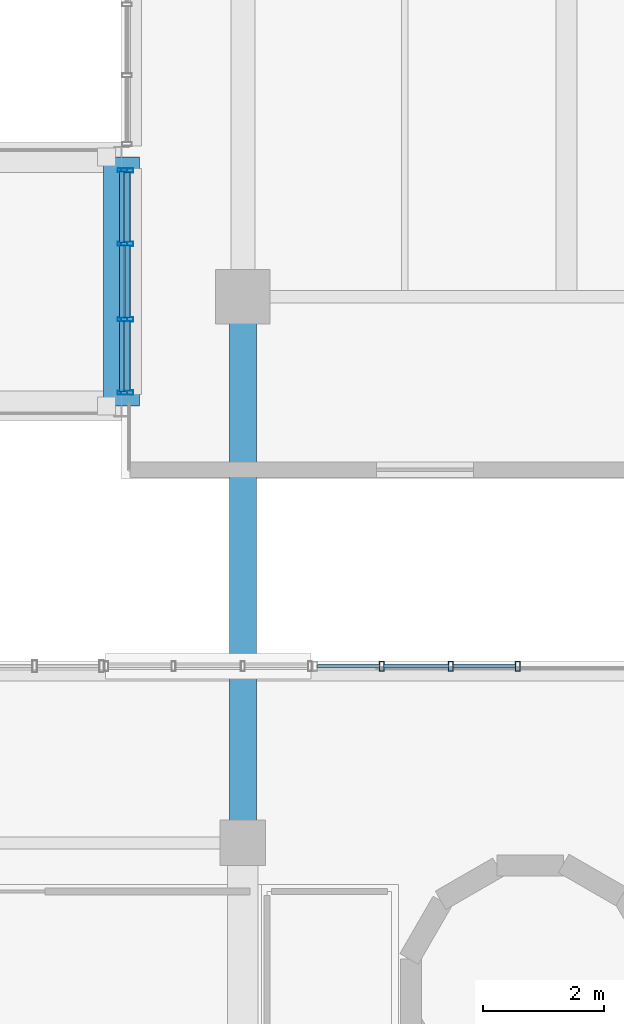
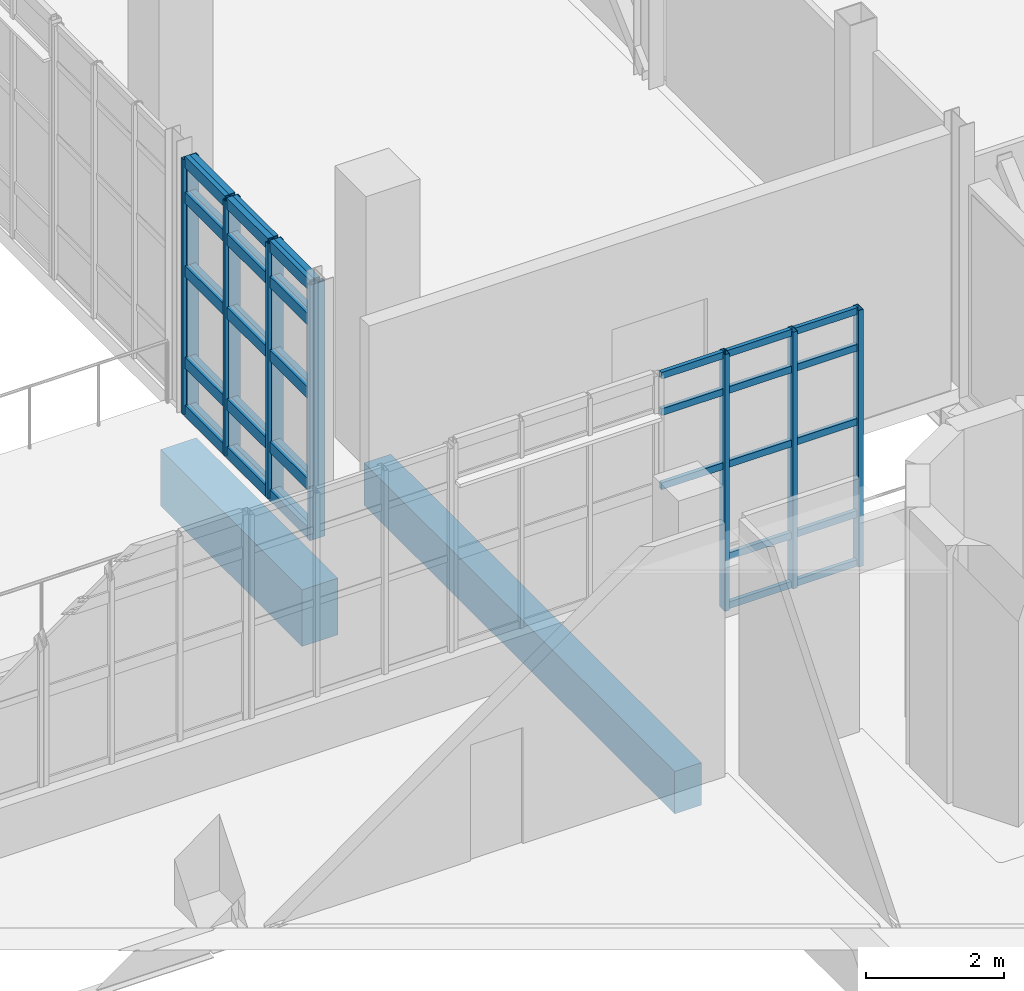
# One storey, part 26 of 100: 54 members, 2 beams, 3 elements without a shape of their own.
"""IFC4 building model written with IfcOpenShell, lengths in metres."""

from ifc_helpers import new_model, si_unit, derived_unit, direction, frame, origin, origin_2d, place, context, subcontext, project, spatial, rectangle, hollow_rectangle, extrude, material, layer, layer_set, material_profile, profile_set, type_object, element, aggregate, save


model = new_model("IFC4")

# Units and contexts
model_context = context("Model", 3, precision=1e-05, world=origin(), true_north=direction((0.0, 1.0)))
body_context = subcontext(model_context, "Body", "Model", "MODEL_VIEW")
ifc_project = project(units=[si_unit("LENGTHUNIT", "METRE"), si_unit("AREAUNIT", "SQUARE_METRE"), si_unit("VOLUMEUNIT", "CUBIC_METRE"), si_unit("PLANEANGLEUNIT", "RADIAN"), si_unit("MASSUNIT", "GRAM", prefix="KILO"), derived_unit("THERMALTRANSMITTANCEUNIT", [(si_unit("POWERUNIT", "WATT"), 1), (si_unit("LENGTHUNIT", "METRE"), -2), (si_unit("THERMODYNAMICTEMPERATUREUNIT", "KELVIN"), -1)])], contexts=[model_context])

# Site, building, storey
site_placement = place(None, origin())
site = spatial("IfcSite", under=ifc_project, at=site_placement, CompositionType="ELEMENT")
building_placement = place(site_placement, origin())
building = spatial("IfcBuilding", under=site, at=building_placement, Name="Nallur Shell Playhouse", CompositionType="ELEMENT")
storey_placement = place(building_placement, frame((0.0, 0.0, 10.199951171875)))
storey = spatial("IfcBuildingStorey", under=building, at=storey_placement, Name="L03", CompositionType="ELEMENT", Elevation=10.199951171875)

# Beams
ifc_material_1 = material(Name="Concrete M35", Category="concrete")
ifc_material_profile_1 = material_profile(ifc_material_1, rectangle(XDim=0.449951171875, YDim=0.75, at=origin_2d()), Name="RC 450x750")
ifc_profile_set_1 = profile_set([ifc_material_profile_1], Name="Concrete M35")
beam_type_1 = type_object("IfcBeamType", Name="BM-RC-450x750", PredefinedType="BEAM", material=ifc_profile_set_1)
beam_1_placement = place(storey_placement, frame((56.0, 41.0, -0.635009765625), z_axis=(0.0, 1.0, 0.0), x_axis=(-1.0, 0.0, 0.0)))
element("IfcBeam", 1, at=beam_1_placement, inside=storey, type_object=beam_type_1, Name="L03 girder Y-7-654", PredefinedType="BEAM", context=body_context, shape_type="SweptSolid", body=[
    extrude(rectangle(XDim=0.449951171875, YDim=0.75, at=origin_2d()), origin(), (0.0, 0.0, 1.0), 9.0),
])
ifc_material_2 = material(Name="Concrete M40", Category="concrete")
ifc_material_profile_2 = material_profile(ifc_material_2, rectangle(XDim=0.60009765625, YDim=1.0, at=origin_2d()), Name="RC 600x1000")
ifc_profile_set_2 = profile_set([ifc_material_profile_2], Name="Concrete M40")
beam_type_2 = type_object("IfcBeamType", Name="BM-RC-600x1000", PredefinedType="BEAM", material=ifc_profile_set_2)
beam_2_placement = place(storey_placement, frame((54.0, 48.199951171875, -1.18994140625), z_axis=(0.0, 1.0, 0.0), x_axis=(-1.0, 0.0, 0.0)))
element("IfcBeam", 2, at=beam_2_placement, inside=storey, type_object=beam_type_2, Name="Courtyard bridge 600mm seismic bearing seat corbel 05", PredefinedType="BEAM", context=body_context, shape_type="SweptSolid", body=[
    extrude(rectangle(XDim=0.60009765625, YDim=1.0, at=origin_2d()), origin(), (0.0, 0.0, 1.0), 4.10009765625),
])

# Curtain wall, members
ifc_material_3 = material(Name="Anodised Aluminium Double-Glazed Facade System", Category="aluminium")
ifc_layer_1 = layer(ifc_material_3, 0.1640625)
ifc_layer_set_1 = layer_set([ifc_layer_1], Name="Anodised Aluminium Double-Glazed Facade System")
curtain_wall_type_1 = type_object("IfcCurtainWallType", Name="CW-UNIT-01", PredefinedType="NOTDEFINED", material=ifc_layer_set_1)
curtain_wall_1_placement = place(storey_placement, origin())
curtain_wall_1 = element("IfcCurtainWall", 3, at=curtain_wall_1_placement, inside=storey, type_object=curtain_wall_type_1, Name="Unitised curtain wall CW-065 (L03)", PredefinedType="NOTDEFINED")
ifc_material_4 = material(Name="Aluminium Alloy 6063-T6 Mullion", Category="aluminium")
ifc_material_profile_3 = material_profile(ifc_material_4, hollow_rectangle(XDim=0.080078125, YDim=0.159912109375, WallThickness=0.006103515625, at=origin_2d()), Name="RHS 160x80x6")
ifc_profile_set_3 = profile_set([ifc_material_profile_3], Name="Aluminium Alloy 6063-T6 Mullion")
member_type_1 = type_object("IfcMemberType", Name="MB-CW-MUL150", PredefinedType="MULLION", material=ifc_profile_set_3)
member_1_placement = place(storey_placement, frame((58.287353515625, 43.909912109375, -0.014892578125), z_axis=(0.0, 0.0, 1.0), x_axis=(1.0, 0.0, 0.0)))
member_1 = element("IfcMember", 4, at=member_1_placement, type_object=member_type_1, Name="CW-01 mullion 2", PredefinedType="MULLION", context=body_context, shape_type="SweptSolid", body=[
    extrude(hollow_rectangle(XDim=0.080078125, YDim=0.159912109375, WallThickness=0.006103515625, at=origin_2d()), origin(), (0.0, 0.0, 1.0), 4.5390625),
])
member_2_placement = place(storey_placement, frame((59.427001953125, 43.909912109375, -0.014892578125), z_axis=(0.0, 0.0, 1.0), x_axis=(1.0, 0.0, 0.0)))
member_2 = element("IfcMember", 5, at=member_2_placement, type_object=member_type_1, Name="CW-01 mullion 3", PredefinedType="MULLION", context=body_context, shape_type="SweptSolid", body=[
    extrude(hollow_rectangle(XDim=0.080078125, YDim=0.159912109375, WallThickness=0.006103515625, at=origin_2d()), origin(), (0.0, 0.0, 1.0), 4.5390625),
])
member_3_placement = place(storey_placement, frame((60.5263671875, 43.909912109375, -0.014892578125), z_axis=(0.0, 0.0, 1.0), x_axis=(1.0, 0.0, 0.0)))
member_3 = element("IfcMember", 6, at=member_3_placement, type_object=member_type_1, Name="CW-01 mullion 4", PredefinedType="MULLION", context=body_context, shape_type="SweptSolid", body=[
    extrude(hollow_rectangle(XDim=0.080078125, YDim=0.159912109375, WallThickness=0.006103515625, at=origin_2d()), origin(), (0.0, 0.0, 1.0), 4.5390625),
])

ifc_layer_2 = layer(ifc_material_3, 0.16796875)
ifc_layer_set_2 = layer_set([ifc_layer_2], Name="Anodised Aluminium Double-Glazed Facade System")
curtain_wall_type_2 = type_object("IfcCurtainWallType", Name="CW-UNIT-26", PredefinedType="NOTDEFINED", material=ifc_layer_set_2)
curtain_wall_2_placement = place(storey_placement, origin())
curtain_wall_2 = element("IfcCurtainWall", 7, at=curtain_wall_2_placement, inside=storey, type_object=curtain_wall_type_2, Name="Unitised curtain wall CW-058 (L03)", PredefinedType="NOTDEFINED")
ifc_material_profile_4 = material_profile(ifc_material_4, hollow_rectangle(XDim=0.06494140625, YDim=0.159912109375, WallThickness=0.00390625, at=origin_2d()), Name="ALU 65x160x4")
ifc_profile_set_4 = profile_set([ifc_material_profile_4], Name="Aluminium Alloy 6063-T6 Mullion")
member_type_2 = type_object("IfcMemberType", Name="MB-CW-MUL160", PredefinedType="MULLION", material=ifc_profile_set_4)
member_4_placement = place(storey_placement, frame((54.014892578125, 52.08447265625, -0.014892578125), z_axis=(0.0, 0.0, 1.0), x_axis=(0.0, -1.0, 0.0)))
member_4 = element("IfcMember", 8, at=member_4_placement, type_object=member_type_2, Name="CW-26 mullion 1", PredefinedType="MULLION", context=body_context, shape_type="SweptSolid", body=[
    extrude(hollow_rectangle(XDim=0.06494140625, YDim=0.159912109375, WallThickness=0.00390625, at=origin_2d()), origin(), (0.0, 0.0, 1.0), 4.51904296875),
])
member_5_placement = place(storey_placement, frame((54.014892578125, 50.872314453125, -0.014892578125), z_axis=(0.0, 0.0, 1.0), x_axis=(0.0, -1.0, 0.0)))
member_5 = element("IfcMember", 9, at=member_5_placement, type_object=member_type_2, Name="CW-26 mullion 2", PredefinedType="MULLION", context=body_context, shape_type="SweptSolid", body=[
    extrude(hollow_rectangle(XDim=0.06494140625, YDim=0.159912109375, WallThickness=0.00390625, at=origin_2d()), origin(), (0.0, 0.0, 1.0), 4.51904296875),
])
member_6_placement = place(storey_placement, frame((54.014892578125, 49.627685546875, -0.014892578125), z_axis=(0.0, 0.0, 1.0), x_axis=(0.0, -1.0, 0.0)))
member_6 = element("IfcMember", 10, at=member_6_placement, type_object=member_type_2, Name="CW-26 mullion 3", PredefinedType="MULLION", context=body_context, shape_type="SweptSolid", body=[
    extrude(hollow_rectangle(XDim=0.06494140625, YDim=0.159912109375, WallThickness=0.00390625, at=origin_2d()), origin(), (0.0, 0.0, 1.0), 4.51904296875),
])
member_7_placement = place(storey_placement, frame((54.014892578125, 48.41552734375, -0.014892578125), z_axis=(0.0, 0.0, 1.0), x_axis=(0.0, -1.0, 0.0)))
member_7 = element("IfcMember", 11, at=member_7_placement, type_object=member_type_2, Name="CW-26 mullion 4", PredefinedType="MULLION", context=body_context, shape_type="SweptSolid", body=[
    extrude(hollow_rectangle(XDim=0.06494140625, YDim=0.159912109375, WallThickness=0.00390625, at=origin_2d()), origin(), (0.0, 0.0, 1.0), 4.51904296875),
])

ifc_layer_3 = layer(ifc_material_3, 0.16796875)
ifc_layer_set_3 = layer_set([ifc_layer_3], Name="Anodised Aluminium Double-Glazed Facade System")
curtain_wall_type_3 = type_object("IfcCurtainWallType", Name="CW-UNIT-02", PredefinedType="NOTDEFINED", material=ifc_layer_set_3)
curtain_wall_3_placement = place(storey_placement, origin())
curtain_wall_3 = element("IfcCurtainWall", 12, at=curtain_wall_3_placement, inside=storey, type_object=curtain_wall_type_3, Name="Unitised curtain wall CW-066 (L03)", PredefinedType="NOTDEFINED")
ifc_material_profile_5 = material_profile(ifc_material_4, hollow_rectangle(XDim=0.074951171875, YDim=0.199951171875, WallThickness=0.0048828125, at=origin_2d()), Name="ALU 75x200x5")
ifc_profile_set_5 = profile_set([ifc_material_profile_5], Name="Aluminium Alloy 6063-T6 Mullion")
member_type_3 = type_object("IfcMemberType", Name="MB-CW-MUL180", PredefinedType="MULLION", material=ifc_profile_set_5)
member_8_placement = place(storey_placement, frame((54.090087890625, 48.42041015625, -0.014892578125), z_axis=(0.0, 0.0, 1.0), x_axis=(0.0, 1.0, 0.0)))
member_8 = element("IfcMember", 13, at=member_8_placement, type_object=member_type_3, Name="CW-02 mullion 1", PredefinedType="MULLION", context=body_context, shape_type="SweptSolid", body=[
    extrude(hollow_rectangle(XDim=0.074951171875, YDim=0.199951171875, WallThickness=0.0048828125, at=origin_2d()), origin(), (0.0, 0.0, 1.0), 4.51904296875),
])
member_9_placement = place(storey_placement, frame((54.090087890625, 49.627685546875, -0.014892578125), z_axis=(0.0, 0.0, 1.0), x_axis=(0.0, 1.0, 0.0)))
member_9 = element("IfcMember", 14, at=member_9_placement, type_object=member_type_3, Name="CW-02 mullion 2", PredefinedType="MULLION", context=body_context, shape_type="SweptSolid", body=[
    extrude(hollow_rectangle(XDim=0.074951171875, YDim=0.199951171875, WallThickness=0.0048828125, at=origin_2d()), origin(), (0.0, 0.0, 1.0), 4.51904296875),
])
member_10_placement = place(storey_placement, frame((54.090087890625, 50.872314453125, -0.014892578125), z_axis=(0.0, 0.0, 1.0), x_axis=(0.0, 1.0, 0.0)))
member_10 = element("IfcMember", 15, at=member_10_placement, type_object=member_type_3, Name="CW-02 mullion 3", PredefinedType="MULLION", context=body_context, shape_type="SweptSolid", body=[
    extrude(hollow_rectangle(XDim=0.074951171875, YDim=0.199951171875, WallThickness=0.0048828125, at=origin_2d()), origin(), (0.0, 0.0, 1.0), 4.51904296875),
])
member_11_placement = place(storey_placement, frame((54.090087890625, 52.07958984375, -0.014892578125), z_axis=(0.0, 0.0, 1.0), x_axis=(0.0, 1.0, 0.0)))
member_11 = element("IfcMember", 16, at=member_11_placement, type_object=member_type_3, Name="CW-02 mullion 4", PredefinedType="MULLION", context=body_context, shape_type="SweptSolid", body=[
    extrude(hollow_rectangle(XDim=0.074951171875, YDim=0.199951171875, WallThickness=0.0048828125, at=origin_2d()), origin(), (0.0, 0.0, 1.0), 4.51904296875),
])

# Member
ifc_material_5 = material(Name="Aluminium Alloy 6063-T6 Transom", Category="aluminium")
ifc_material_profile_6 = material_profile(ifc_material_5, hollow_rectangle(XDim=0.06494140625, YDim=0.1201171875, WallThickness=0.00390625, at=origin_2d()), Name="ALU 65x120x4")
ifc_profile_set_6 = profile_set([ifc_material_profile_6], Name="Aluminium Alloy 6063-T6 Transom")
member_type_4 = type_object("IfcMemberType", Name="MB-CW-TRN120", PredefinedType="USERDEFINED", material=ifc_profile_set_6)
member_12_placement = place(storey_placement, frame((57.219970703125, 43.909912109375, 2.531005859375), z_axis=(1.0, 0.0, 0.0), x_axis=(0.0, 1.0, 0.0)))
member_12 = element("IfcMember", 17, at=member_12_placement, type_object=member_type_4, Name="CW-01 transom 1.3", ObjectType="TRANSOM", PredefinedType="USERDEFINED", context=body_context, shape_type="SweptSolid", body=[
    extrude(hollow_rectangle(XDim=0.06494140625, YDim=0.1201171875, WallThickness=0.00390625, at=origin_2d()), origin(), (0.0, 0.0, 1.0), 1.035400390625),
])

member_13_placement = place(storey_placement, frame((57.219970703125, 43.909912109375, 3.840087890625), z_axis=(1.0, 0.0, 0.0), x_axis=(0.0, 1.0, 0.0)))
member_13 = element("IfcMember", 18, at=member_13_placement, type_object=member_type_4, Name="CW-01 transom 1.4", ObjectType="TRANSOM", PredefinedType="USERDEFINED", context=body_context, shape_type="SweptSolid", body=[
    extrude(hollow_rectangle(XDim=0.06494140625, YDim=0.1201171875, WallThickness=0.00390625, at=origin_2d()), origin(), (0.0, 0.0, 1.0), 1.035400390625),
])

member_14_placement = place(storey_placement, frame((57.219970703125, 43.909912109375, 4.487548828125), z_axis=(1.0, 0.0, 0.0), x_axis=(0.0, 1.0, 0.0)))
member_14 = element("IfcMember", 19, at=member_14_placement, type_object=member_type_4, Name="CW-01 transom 1.5", ObjectType="TRANSOM", PredefinedType="USERDEFINED", context=body_context, shape_type="SweptSolid", body=[
    extrude(hollow_rectangle(XDim=0.06494140625, YDim=0.1201171875, WallThickness=0.00390625, at=origin_2d()), origin(), (0.0, 0.0, 1.0), 1.035400390625),
])

member_15_placement = place(storey_placement, frame((58.3193359375, 43.909912109375, 0.032470703125), z_axis=(1.0, 0.0, 0.0), x_axis=(0.0, 1.0, 0.0)))
member_15 = element("IfcMember", 20, at=member_15_placement, type_object=member_type_4, Name="CW-01 transom 2.1", ObjectType="TRANSOM", PredefinedType="USERDEFINED", context=body_context, shape_type="SweptSolid", body=[
    extrude(hollow_rectangle(XDim=0.06494140625, YDim=0.1201171875, WallThickness=0.00390625, at=origin_2d()), origin(), (0.0, 0.0, 1.0), 1.07568359375),
])

member_16_placement = place(storey_placement, frame((58.3193359375, 43.909912109375, 0.900146484375), z_axis=(1.0, 0.0, 0.0), x_axis=(0.0, 1.0, 0.0)))
member_16 = element("IfcMember", 21, at=member_16_placement, type_object=member_type_4, Name="CW-01 transom 2.2", ObjectType="TRANSOM", PredefinedType="USERDEFINED", context=body_context, shape_type="SweptSolid", body=[
    extrude(hollow_rectangle(XDim=0.06494140625, YDim=0.1201171875, WallThickness=0.00390625, at=origin_2d()), origin(), (0.0, 0.0, 1.0), 1.07568359375),
])

member_17_placement = place(storey_placement, frame((58.3193359375, 43.909912109375, 2.531005859375), z_axis=(1.0, 0.0, 0.0), x_axis=(0.0, 1.0, 0.0)))
member_17 = element("IfcMember", 22, at=member_17_placement, type_object=member_type_4, Name="CW-01 transom 2.3", ObjectType="TRANSOM", PredefinedType="USERDEFINED", context=body_context, shape_type="SweptSolid", body=[
    extrude(hollow_rectangle(XDim=0.06494140625, YDim=0.1201171875, WallThickness=0.00390625, at=origin_2d()), origin(), (0.0, 0.0, 1.0), 1.07568359375),
])

member_18_placement = place(storey_placement, frame((58.3193359375, 43.909912109375, 3.840087890625), z_axis=(1.0, 0.0, 0.0), x_axis=(0.0, 1.0, 0.0)))
member_18 = element("IfcMember", 23, at=member_18_placement, type_object=member_type_4, Name="CW-01 transom 2.4", ObjectType="TRANSOM", PredefinedType="USERDEFINED", context=body_context, shape_type="SweptSolid", body=[
    extrude(hollow_rectangle(XDim=0.06494140625, YDim=0.1201171875, WallThickness=0.00390625, at=origin_2d()), origin(), (0.0, 0.0, 1.0), 1.07568359375),
])

member_19_placement = place(storey_placement, frame((58.3193359375, 43.909912109375, 4.487548828125), z_axis=(1.0, 0.0, 0.0), x_axis=(0.0, 1.0, 0.0)))
member_19 = element("IfcMember", 24, at=member_19_placement, type_object=member_type_4, Name="CW-01 transom 2.5", ObjectType="TRANSOM", PredefinedType="USERDEFINED", context=body_context, shape_type="SweptSolid", body=[
    extrude(hollow_rectangle(XDim=0.06494140625, YDim=0.1201171875, WallThickness=0.00390625, at=origin_2d()), origin(), (0.0, 0.0, 1.0), 1.07568359375),
])

member_20_placement = place(storey_placement, frame((59.458984375, 43.909912109375, 0.032470703125), z_axis=(1.0, 0.0, 0.0), x_axis=(0.0, 1.0, 0.0)))
member_20 = element("IfcMember", 25, at=member_20_placement, type_object=member_type_4, Name="CW-01 transom 3.1", ObjectType="TRANSOM", PredefinedType="USERDEFINED", context=body_context, shape_type="SweptSolid", body=[
    extrude(hollow_rectangle(XDim=0.06494140625, YDim=0.1201171875, WallThickness=0.00390625, at=origin_2d()), origin(), (0.0, 0.0, 1.0), 1.035400390625),
])

member_21_placement = place(storey_placement, frame((59.458984375, 43.909912109375, 0.900146484375), z_axis=(1.0, 0.0, 0.0), x_axis=(0.0, 1.0, 0.0)))
member_21 = element("IfcMember", 26, at=member_21_placement, type_object=member_type_4, Name="CW-01 transom 3.2", ObjectType="TRANSOM", PredefinedType="USERDEFINED", context=body_context, shape_type="SweptSolid", body=[
    extrude(hollow_rectangle(XDim=0.06494140625, YDim=0.1201171875, WallThickness=0.00390625, at=origin_2d()), origin(), (0.0, 0.0, 1.0), 1.035400390625),
])

member_22_placement = place(storey_placement, frame((59.458984375, 43.909912109375, 2.531005859375), z_axis=(1.0, 0.0, 0.0), x_axis=(0.0, 1.0, 0.0)))
member_22 = element("IfcMember", 27, at=member_22_placement, type_object=member_type_4, Name="CW-01 transom 3.3", ObjectType="TRANSOM", PredefinedType="USERDEFINED", context=body_context, shape_type="SweptSolid", body=[
    extrude(hollow_rectangle(XDim=0.06494140625, YDim=0.1201171875, WallThickness=0.00390625, at=origin_2d()), origin(), (0.0, 0.0, 1.0), 1.035400390625),
])

member_23_placement = place(storey_placement, frame((59.458984375, 43.909912109375, 3.840087890625), z_axis=(1.0, 0.0, 0.0), x_axis=(0.0, 1.0, 0.0)))
member_23 = element("IfcMember", 28, at=member_23_placement, type_object=member_type_4, Name="CW-01 transom 3.4", ObjectType="TRANSOM", PredefinedType="USERDEFINED", context=body_context, shape_type="SweptSolid", body=[
    extrude(hollow_rectangle(XDim=0.06494140625, YDim=0.1201171875, WallThickness=0.00390625, at=origin_2d()), origin(), (0.0, 0.0, 1.0), 1.035400390625),
])

member_24_placement = place(storey_placement, frame((59.458984375, 43.909912109375, 4.487548828125), z_axis=(1.0, 0.0, 0.0), x_axis=(0.0, 1.0, 0.0)))
member_24 = element("IfcMember", 29, at=member_24_placement, type_object=member_type_4, Name="CW-01 transom 3.5", ObjectType="TRANSOM", PredefinedType="USERDEFINED", context=body_context, shape_type="SweptSolid", body=[
    extrude(hollow_rectangle(XDim=0.06494140625, YDim=0.1201171875, WallThickness=0.00390625, at=origin_2d()), origin(), (0.0, 0.0, 1.0), 1.035400390625),
])

aggregate(curtain_wall_1, [member_1, member_2, member_3, member_12, member_13, member_14, member_15, member_16, member_17, member_18, member_19, member_20, member_21, member_22, member_23, member_24])

ifc_material_profile_7 = material_profile(ifc_material_5, hollow_rectangle(XDim=0.10009765625, YDim=0.199951171875, WallThickness=0.008056640625, at=origin_2d()), Name="RHS 200x100x8")
ifc_profile_set_7 = profile_set([ifc_material_profile_7], Name="Aluminium Alloy 6063-T6 Transom")
member_type_5 = type_object("IfcMemberType", Name="MB-CW-TRN140", PredefinedType="USERDEFINED", material=ifc_profile_set_7)
member_25_placement = place(storey_placement, frame((54.014892578125, 52.06005859375, 0.050048828125), z_axis=(0.0, -1.0, 0.0), x_axis=(1.0, 0.0, 0.0)))
member_25 = element("IfcMember", 30, at=member_25_placement, type_object=member_type_5, Name="CW-26 transom 1.1", ObjectType="TRANSOM", PredefinedType="USERDEFINED", context=body_context, shape_type="SweptSolid", body=[
    extrude(hollow_rectangle(XDim=0.10009765625, YDim=0.199951171875, WallThickness=0.008056640625, at=origin_2d()), origin(), (0.0, 0.0, 1.0), 1.163330078125),
])

member_26_placement = place(storey_placement, frame((54.014892578125, 52.06005859375, 0.900146484375), z_axis=(0.0, -1.0, 0.0), x_axis=(1.0, 0.0, 0.0)))
member_26 = element("IfcMember", 31, at=member_26_placement, type_object=member_type_5, Name="CW-26 transom 1.2", ObjectType="TRANSOM", PredefinedType="USERDEFINED", context=body_context, shape_type="SweptSolid", body=[
    extrude(hollow_rectangle(XDim=0.10009765625, YDim=0.199951171875, WallThickness=0.008056640625, at=origin_2d()), origin(), (0.0, 0.0, 1.0), 1.163330078125),
])

member_27_placement = place(storey_placement, frame((54.014892578125, 52.06005859375, 2.52001953125), z_axis=(0.0, -1.0, 0.0), x_axis=(1.0, 0.0, 0.0)))
member_27 = element("IfcMember", 32, at=member_27_placement, type_object=member_type_5, Name="CW-26 transom 1.3", ObjectType="TRANSOM", PredefinedType="USERDEFINED", context=body_context, shape_type="SweptSolid", body=[
    extrude(hollow_rectangle(XDim=0.10009765625, YDim=0.199951171875, WallThickness=0.008056640625, at=origin_2d()), origin(), (0.0, 0.0, 1.0), 1.163330078125),
])

member_28_placement = place(storey_placement, frame((54.014892578125, 52.06005859375, 3.820068359375), z_axis=(0.0, -1.0, 0.0), x_axis=(1.0, 0.0, 0.0)))
member_28 = element("IfcMember", 33, at=member_28_placement, type_object=member_type_5, Name="CW-26 transom 1.4", ObjectType="TRANSOM", PredefinedType="USERDEFINED", context=body_context, shape_type="SweptSolid", body=[
    extrude(hollow_rectangle(XDim=0.10009765625, YDim=0.199951171875, WallThickness=0.008056640625, at=origin_2d()), origin(), (0.0, 0.0, 1.0), 1.163330078125),
])

member_29_placement = place(storey_placement, frame((54.014892578125, 52.06005859375, 4.449951171875), z_axis=(0.0, -1.0, 0.0), x_axis=(1.0, 0.0, 0.0)))
member_29 = element("IfcMember", 34, at=member_29_placement, type_object=member_type_5, Name="CW-26 transom 1.5", ObjectType="TRANSOM", PredefinedType="USERDEFINED", context=body_context, shape_type="SweptSolid", body=[
    extrude(hollow_rectangle(XDim=0.10009765625, YDim=0.199951171875, WallThickness=0.008056640625, at=origin_2d()), origin(), (0.0, 0.0, 1.0), 1.163330078125),
])

member_30_placement = place(storey_placement, frame((54.014892578125, 50.847900390625, 0.050048828125), z_axis=(0.0, -1.0, 0.0), x_axis=(1.0, 0.0, 0.0)))
member_30 = element("IfcMember", 35, at=member_30_placement, type_object=member_type_5, Name="CW-26 transom 2.1", ObjectType="TRANSOM", PredefinedType="USERDEFINED", context=body_context, shape_type="SweptSolid", body=[
    extrude(hollow_rectangle(XDim=0.10009765625, YDim=0.199951171875, WallThickness=0.008056640625, at=origin_2d()), origin(), (0.0, 0.0, 1.0), 1.19580078125),
])

member_31_placement = place(storey_placement, frame((54.014892578125, 50.847900390625, 0.900146484375), z_axis=(0.0, -1.0, 0.0), x_axis=(1.0, 0.0, 0.0)))
member_31 = element("IfcMember", 36, at=member_31_placement, type_object=member_type_5, Name="CW-26 transom 2.2", ObjectType="TRANSOM", PredefinedType="USERDEFINED", context=body_context, shape_type="SweptSolid", body=[
    extrude(hollow_rectangle(XDim=0.10009765625, YDim=0.199951171875, WallThickness=0.008056640625, at=origin_2d()), origin(), (0.0, 0.0, 1.0), 1.19580078125),
])

member_32_placement = place(storey_placement, frame((54.014892578125, 50.847900390625, 2.52001953125), z_axis=(0.0, -1.0, 0.0), x_axis=(1.0, 0.0, 0.0)))
member_32 = element("IfcMember", 37, at=member_32_placement, type_object=member_type_5, Name="CW-26 transom 2.3", ObjectType="TRANSOM", PredefinedType="USERDEFINED", context=body_context, shape_type="SweptSolid", body=[
    extrude(hollow_rectangle(XDim=0.10009765625, YDim=0.199951171875, WallThickness=0.008056640625, at=origin_2d()), origin(), (0.0, 0.0, 1.0), 1.19580078125),
])

member_33_placement = place(storey_placement, frame((54.014892578125, 50.847900390625, 3.820068359375), z_axis=(0.0, -1.0, 0.0), x_axis=(1.0, 0.0, 0.0)))
member_33 = element("IfcMember", 38, at=member_33_placement, type_object=member_type_5, Name="CW-26 transom 2.4", ObjectType="TRANSOM", PredefinedType="USERDEFINED", context=body_context, shape_type="SweptSolid", body=[
    extrude(hollow_rectangle(XDim=0.10009765625, YDim=0.199951171875, WallThickness=0.008056640625, at=origin_2d()), origin(), (0.0, 0.0, 1.0), 1.19580078125),
])

member_34_placement = place(storey_placement, frame((54.014892578125, 50.847900390625, 4.449951171875), z_axis=(0.0, -1.0, 0.0), x_axis=(1.0, 0.0, 0.0)))
member_34 = element("IfcMember", 39, at=member_34_placement, type_object=member_type_5, Name="CW-26 transom 2.5", ObjectType="TRANSOM", PredefinedType="USERDEFINED", context=body_context, shape_type="SweptSolid", body=[
    extrude(hollow_rectangle(XDim=0.10009765625, YDim=0.199951171875, WallThickness=0.008056640625, at=origin_2d()), origin(), (0.0, 0.0, 1.0), 1.19580078125),
])

member_35_placement = place(storey_placement, frame((54.014892578125, 49.603271484375, 0.050048828125), z_axis=(0.0, -1.0, 0.0), x_axis=(1.0, 0.0, 0.0)))
member_35 = element("IfcMember", 40, at=member_35_placement, type_object=member_type_5, Name="CW-26 transom 3.1", ObjectType="TRANSOM", PredefinedType="USERDEFINED", context=body_context, shape_type="SweptSolid", body=[
    extrude(hollow_rectangle(XDim=0.10009765625, YDim=0.199951171875, WallThickness=0.008056640625, at=origin_2d()), origin(), (0.0, 0.0, 1.0), 1.163330078125),
])

member_36_placement = place(storey_placement, frame((54.014892578125, 49.603271484375, 0.900146484375), z_axis=(0.0, -1.0, 0.0), x_axis=(1.0, 0.0, 0.0)))
member_36 = element("IfcMember", 41, at=member_36_placement, type_object=member_type_5, Name="CW-26 transom 3.2", ObjectType="TRANSOM", PredefinedType="USERDEFINED", context=body_context, shape_type="SweptSolid", body=[
    extrude(hollow_rectangle(XDim=0.10009765625, YDim=0.199951171875, WallThickness=0.008056640625, at=origin_2d()), origin(), (0.0, 0.0, 1.0), 1.163330078125),
])

member_37_placement = place(storey_placement, frame((54.014892578125, 49.603271484375, 2.52001953125), z_axis=(0.0, -1.0, 0.0), x_axis=(1.0, 0.0, 0.0)))
member_37 = element("IfcMember", 42, at=member_37_placement, type_object=member_type_5, Name="CW-26 transom 3.3", ObjectType="TRANSOM", PredefinedType="USERDEFINED", context=body_context, shape_type="SweptSolid", body=[
    extrude(hollow_rectangle(XDim=0.10009765625, YDim=0.199951171875, WallThickness=0.008056640625, at=origin_2d()), origin(), (0.0, 0.0, 1.0), 1.163330078125),
])

member_38_placement = place(storey_placement, frame((54.014892578125, 49.603271484375, 3.820068359375), z_axis=(0.0, -1.0, 0.0), x_axis=(1.0, 0.0, 0.0)))
member_38 = element("IfcMember", 43, at=member_38_placement, type_object=member_type_5, Name="CW-26 transom 3.4", ObjectType="TRANSOM", PredefinedType="USERDEFINED", context=body_context, shape_type="SweptSolid", body=[
    extrude(hollow_rectangle(XDim=0.10009765625, YDim=0.199951171875, WallThickness=0.008056640625, at=origin_2d()), origin(), (0.0, 0.0, 1.0), 1.163330078125),
])

member_39_placement = place(storey_placement, frame((54.014892578125, 49.603271484375, 4.449951171875), z_axis=(0.0, -1.0, 0.0), x_axis=(1.0, 0.0, 0.0)))
member_39 = element("IfcMember", 44, at=member_39_placement, type_object=member_type_5, Name="CW-26 transom 3.5", ObjectType="TRANSOM", PredefinedType="USERDEFINED", context=body_context, shape_type="SweptSolid", body=[
    extrude(hollow_rectangle(XDim=0.10009765625, YDim=0.199951171875, WallThickness=0.008056640625, at=origin_2d()), origin(), (0.0, 0.0, 1.0), 1.163330078125),
])

aggregate(curtain_wall_2, [member_4, member_5, member_6, member_7, member_25, member_26, member_27, member_28, member_29, member_30, member_31, member_32, member_33, member_34, member_35, member_36, member_37, member_38, member_39])

member_40_placement = place(storey_placement, frame((54.090087890625, 48.449951171875, 0.050048828125), z_axis=(0.0, 1.0, 0.0), x_axis=(-1.0, 0.0, 0.0)))
member_40 = element("IfcMember", 45, at=member_40_placement, type_object=member_type_5, Name="CW-02 transom 1.1", ObjectType="TRANSOM", PredefinedType="USERDEFINED", context=body_context, shape_type="SweptSolid", body=[
    extrude(hollow_rectangle(XDim=0.10009765625, YDim=0.199951171875, WallThickness=0.008056640625, at=origin_2d()), origin(), (0.0, 0.0, 1.0), 1.148193359375),
])

member_41_placement = place(storey_placement, frame((54.090087890625, 48.449951171875, 0.900146484375), z_axis=(0.0, 1.0, 0.0), x_axis=(-1.0, 0.0, 0.0)))
member_41 = element("IfcMember", 46, at=member_41_placement, type_object=member_type_5, Name="CW-02 transom 1.2", ObjectType="TRANSOM", PredefinedType="USERDEFINED", context=body_context, shape_type="SweptSolid", body=[
    extrude(hollow_rectangle(XDim=0.10009765625, YDim=0.199951171875, WallThickness=0.008056640625, at=origin_2d()), origin(), (0.0, 0.0, 1.0), 1.148193359375),
])

member_42_placement = place(storey_placement, frame((54.090087890625, 48.449951171875, 2.52001953125), z_axis=(0.0, 1.0, 0.0), x_axis=(-1.0, 0.0, 0.0)))
member_42 = element("IfcMember", 47, at=member_42_placement, type_object=member_type_5, Name="CW-02 transom 1.3", ObjectType="TRANSOM", PredefinedType="USERDEFINED", context=body_context, shape_type="SweptSolid", body=[
    extrude(hollow_rectangle(XDim=0.10009765625, YDim=0.199951171875, WallThickness=0.008056640625, at=origin_2d()), origin(), (0.0, 0.0, 1.0), 1.148193359375),
])

member_43_placement = place(storey_placement, frame((54.090087890625, 48.449951171875, 3.820068359375), z_axis=(0.0, 1.0, 0.0), x_axis=(-1.0, 0.0, 0.0)))
member_43 = element("IfcMember", 48, at=member_43_placement, type_object=member_type_5, Name="CW-02 transom 1.4", ObjectType="TRANSOM", PredefinedType="USERDEFINED", context=body_context, shape_type="SweptSolid", body=[
    extrude(hollow_rectangle(XDim=0.10009765625, YDim=0.199951171875, WallThickness=0.008056640625, at=origin_2d()), origin(), (0.0, 0.0, 1.0), 1.148193359375),
])

member_44_placement = place(storey_placement, frame((54.090087890625, 48.449951171875, 4.449951171875), z_axis=(0.0, 1.0, 0.0), x_axis=(-1.0, 0.0, 0.0)))
member_44 = element("IfcMember", 49, at=member_44_placement, type_object=member_type_5, Name="CW-02 transom 1.5", ObjectType="TRANSOM", PredefinedType="USERDEFINED", context=body_context, shape_type="SweptSolid", body=[
    extrude(hollow_rectangle(XDim=0.10009765625, YDim=0.199951171875, WallThickness=0.008056640625, at=origin_2d()), origin(), (0.0, 0.0, 1.0), 1.148193359375),
])

member_45_placement = place(storey_placement, frame((54.090087890625, 49.6572265625, 0.050048828125), z_axis=(0.0, 1.0, 0.0), x_axis=(-1.0, 0.0, 0.0)))
member_45 = element("IfcMember", 50, at=member_45_placement, type_object=member_type_5, Name="CW-02 transom 2.1", ObjectType="TRANSOM", PredefinedType="USERDEFINED", context=body_context, shape_type="SweptSolid", body=[
    extrude(hollow_rectangle(XDim=0.10009765625, YDim=0.199951171875, WallThickness=0.008056640625, at=origin_2d()), origin(), (0.0, 0.0, 1.0), 1.185546875),
])

member_46_placement = place(storey_placement, frame((54.090087890625, 49.6572265625, 0.900146484375), z_axis=(0.0, 1.0, 0.0), x_axis=(-1.0, 0.0, 0.0)))
member_46 = element("IfcMember", 51, at=member_46_placement, type_object=member_type_5, Name="CW-02 transom 2.2", ObjectType="TRANSOM", PredefinedType="USERDEFINED", context=body_context, shape_type="SweptSolid", body=[
    extrude(hollow_rectangle(XDim=0.10009765625, YDim=0.199951171875, WallThickness=0.008056640625, at=origin_2d()), origin(), (0.0, 0.0, 1.0), 1.185546875),
])

member_47_placement = place(storey_placement, frame((54.090087890625, 49.6572265625, 2.52001953125), z_axis=(0.0, 1.0, 0.0), x_axis=(-1.0, 0.0, 0.0)))
member_47 = element("IfcMember", 52, at=member_47_placement, type_object=member_type_5, Name="CW-02 transom 2.3", ObjectType="TRANSOM", PredefinedType="USERDEFINED", context=body_context, shape_type="SweptSolid", body=[
    extrude(hollow_rectangle(XDim=0.10009765625, YDim=0.199951171875, WallThickness=0.008056640625, at=origin_2d()), origin(), (0.0, 0.0, 1.0), 1.185546875),
])

member_48_placement = place(storey_placement, frame((54.090087890625, 49.6572265625, 3.820068359375), z_axis=(0.0, 1.0, 0.0), x_axis=(-1.0, 0.0, 0.0)))
member_48 = element("IfcMember", 53, at=member_48_placement, type_object=member_type_5, Name="CW-02 transom 2.4", ObjectType="TRANSOM", PredefinedType="USERDEFINED", context=body_context, shape_type="SweptSolid", body=[
    extrude(hollow_rectangle(XDim=0.10009765625, YDim=0.199951171875, WallThickness=0.008056640625, at=origin_2d()), origin(), (0.0, 0.0, 1.0), 1.185546875),
])

member_49_placement = place(storey_placement, frame((54.090087890625, 49.6572265625, 4.449951171875), z_axis=(0.0, 1.0, 0.0), x_axis=(-1.0, 0.0, 0.0)))
member_49 = element("IfcMember", 54, at=member_49_placement, type_object=member_type_5, Name="CW-02 transom 2.5", ObjectType="TRANSOM", PredefinedType="USERDEFINED", context=body_context, shape_type="SweptSolid", body=[
    extrude(hollow_rectangle(XDim=0.10009765625, YDim=0.199951171875, WallThickness=0.008056640625, at=origin_2d()), origin(), (0.0, 0.0, 1.0), 1.185546875),
])

member_50_placement = place(storey_placement, frame((54.090087890625, 50.90185546875, 0.050048828125), z_axis=(0.0, 1.0, 0.0), x_axis=(-1.0, 0.0, 0.0)))
member_50 = element("IfcMember", 55, at=member_50_placement, type_object=member_type_5, Name="CW-02 transom 3.1", ObjectType="TRANSOM", PredefinedType="USERDEFINED", context=body_context, shape_type="SweptSolid", body=[
    extrude(hollow_rectangle(XDim=0.10009765625, YDim=0.199951171875, WallThickness=0.008056640625, at=origin_2d()), origin(), (0.0, 0.0, 1.0), 1.148193359375),
])

member_51_placement = place(storey_placement, frame((54.090087890625, 50.90185546875, 0.900146484375), z_axis=(0.0, 1.0, 0.0), x_axis=(-1.0, 0.0, 0.0)))
member_51 = element("IfcMember", 56, at=member_51_placement, type_object=member_type_5, Name="CW-02 transom 3.2", ObjectType="TRANSOM", PredefinedType="USERDEFINED", context=body_context, shape_type="SweptSolid", body=[
    extrude(hollow_rectangle(XDim=0.10009765625, YDim=0.199951171875, WallThickness=0.008056640625, at=origin_2d()), origin(), (0.0, 0.0, 1.0), 1.148193359375),
])

member_52_placement = place(storey_placement, frame((54.090087890625, 50.90185546875, 2.52001953125), z_axis=(0.0, 1.0, 0.0), x_axis=(-1.0, 0.0, 0.0)))
member_52 = element("IfcMember", 57, at=member_52_placement, type_object=member_type_5, Name="CW-02 transom 3.3", ObjectType="TRANSOM", PredefinedType="USERDEFINED", context=body_context, shape_type="SweptSolid", body=[
    extrude(hollow_rectangle(XDim=0.10009765625, YDim=0.199951171875, WallThickness=0.008056640625, at=origin_2d()), origin(), (0.0, 0.0, 1.0), 1.148193359375),
])

member_53_placement = place(storey_placement, frame((54.090087890625, 50.90185546875, 3.820068359375), z_axis=(0.0, 1.0, 0.0), x_axis=(-1.0, 0.0, 0.0)))
member_53 = element("IfcMember", 58, at=member_53_placement, type_object=member_type_5, Name="CW-02 transom 3.4", ObjectType="TRANSOM", PredefinedType="USERDEFINED", context=body_context, shape_type="SweptSolid", body=[
    extrude(hollow_rectangle(XDim=0.10009765625, YDim=0.199951171875, WallThickness=0.008056640625, at=origin_2d()), origin(), (0.0, 0.0, 1.0), 1.148193359375),
])

member_54_placement = place(storey_placement, frame((54.090087890625, 50.90185546875, 4.449951171875), z_axis=(0.0, 1.0, 0.0), x_axis=(-1.0, 0.0, 0.0)))
member_54 = element("IfcMember", 59, at=member_54_placement, type_object=member_type_5, Name="CW-02 transom 3.5", ObjectType="TRANSOM", PredefinedType="USERDEFINED", context=body_context, shape_type="SweptSolid", body=[
    extrude(hollow_rectangle(XDim=0.10009765625, YDim=0.199951171875, WallThickness=0.008056640625, at=origin_2d()), origin(), (0.0, 0.0, 1.0), 1.148193359375),
])

aggregate(curtain_wall_3, [member_8, member_9, member_10, member_11, member_40, member_41, member_42, member_43, member_44, member_45, member_46, member_47, member_48, member_49, member_50, member_51, member_52, member_53, member_54])

save(model, "model.ifc")
